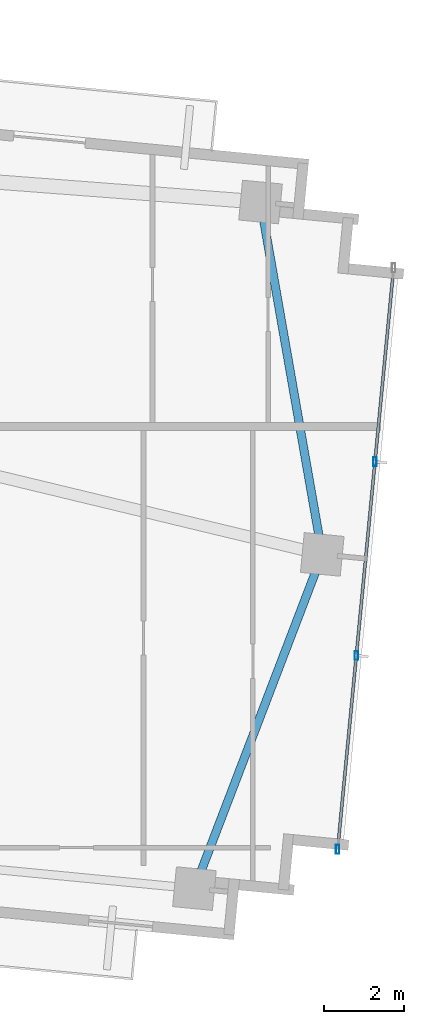
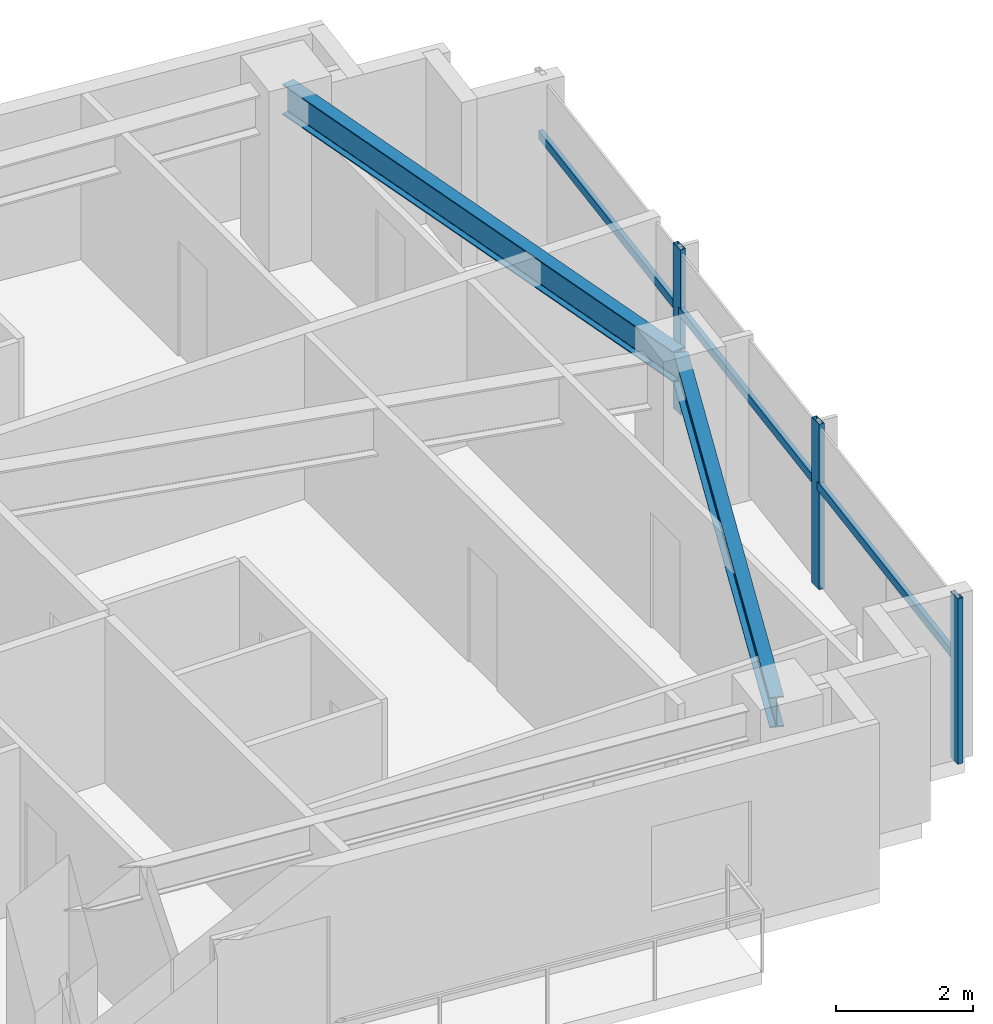
# One storey, part 10 of 19: 6 members, 2 beams, 1 element without a shape of its own.
"""IFC4 building model written with IfcOpenShell, lengths in metres."""

from ifc_helpers import new_model, si_unit, direction, frame, origin, origin_2d, place, context, subcontext, project, spatial, hollow_rectangle, i_section, extrude, source, transform, mapped, material, material_profile, profile_set, type_object, type_shapes, element, aggregate, save


model = new_model("IFC4")

# Units and contexts
model_context = context("Model", 3, precision=1e-05, world=origin(), true_north=direction((0.0, 1.0)))
body_context = subcontext(model_context, "Body", "Model", "MODEL_VIEW")
ifc_project = project(units=[si_unit("LENGTHUNIT", "METRE"), si_unit("AREAUNIT", "SQUARE_METRE"), si_unit("VOLUMEUNIT", "CUBIC_METRE"), si_unit("PLANEANGLEUNIT", "RADIAN"), si_unit("MASSUNIT", "GRAM", prefix="KILO")], contexts=[model_context])

# Site, building, storey
site_placement = place(None, origin())
site = spatial("IfcSite", under=ifc_project, at=site_placement, CompositionType="ELEMENT")
building_placement = place(site_placement, origin())
building = spatial("IfcBuilding", under=site, at=building_placement, Name="Astriad Promenade Condominiums", CompositionType="ELEMENT")
storey_placement = place(building_placement, frame((0.0, 0.0, 147.0)))
storey = spatial("IfcBuildingStorey", under=building, at=storey_placement, Name="L42", CompositionType="ELEMENT", Elevation=147.0)

# Beams
ifc_material_1 = material(Name="Steel ASTM A992 Grade 50", Category="steel")
ifc_material_profile_1 = material_profile(ifc_material_1, i_section(OverallWidth=0.210693359375, OverallDepth=0.53955078125, WebThickness=0.01171875, FlangeThickness=0.018798828125, FilletRadius=0.0166015625, at=origin_2d()), Name="W21X73")
ifc_profile_set_1 = profile_set([ifc_material_profile_1], Name="Steel ASTM A992 Grade 50")
beam_type = type_object("IfcBeamType", Name="STEEL SPANDREL BEAM W21X73", PredefinedType="SPANDREL", material=ifc_profile_set_1)
shared_shape_1 = source(origin(), body_context, "Body", "SweptSolid", [
    extrude(i_section(OverallWidth=0.210693359375, OverallDepth=0.53955078125, WebThickness=0.01171875, FlangeThickness=0.018798828125, FilletRadius=0.0166015625, at=origin_2d()), origin(), (0.0, 0.0, 1.0), 8.8623046875),
])
type_shapes(beam_type, [shared_shape_1])
for number, where, z_axis, x_axis, name in (
    (1, (55.081298828125, 6.033447265625, 2.67041015625), (0.357298632827, 0.933990196405, 0.0), (-0.933990196405, 0.357298632827, 0.0), "Perimeter Spandrel Beam SP-E1-L42"),
    (2, (58.25537109375, 14.3876953125, 2.67041015625), (-0.172532686951, 0.985003792852, 0.0), (-0.985003792852, -0.172532686951, 0.0), "Perimeter Spandrel Beam SP-E2-L42"),
):
    element("IfcBeam", number, at=place(storey_placement, frame(where, z_axis=z_axis, x_axis=x_axis)), inside=storey, type_object=beam_type, Name=name, PredefinedType="SPANDREL", context=body_context, shape_type="MappedRepresentation", body=[
        mapped(shared_shape_1, transform((0.0, 0.0, 0.0), scale=1.0)),
    ])

# Curtain wall, members
ifc_material_2 = material(Name="Anodised aluminium Black Dark Glass Unitised", Category="aluminium")
curtain_wall_type = type_object("IfcCurtainWallType", Name="CW-B34-DARK", PredefinedType="USERDEFINED", material=ifc_material_2)
curtain_wall_placement = place(storey_placement, origin())
curtain_wall = element("IfcCurtainWall", 3, at=curtain_wall_placement, inside=storey, type_object=curtain_wall_type, Name="CW-L42-E", ObjectType="UNITISED_CURTAIN_WALL", PredefinedType="USERDEFINED")
ifc_material_3 = material(Name="Anodised aluminium 6063-T6 Black", Category="aluminium")
ifc_material_profile_2 = material_profile(ifc_material_3, hollow_rectangle(XDim=0.0849609375, YDim=0.219970703125, WallThickness=0.0048828125, at=origin_2d()), Name="ALU-MUL-85X220")
ifc_profile_set_2 = profile_set([ifc_material_profile_2], Name="Anodised aluminium 6063-T6 Black")
member_type_1 = type_object("IfcMemberType", Name="MUL-ALU-MUL-85X220", PredefinedType="MULLION", material=ifc_profile_set_2)
shared_shape_2 = source(origin(), body_context, "Body", "SweptSolid", [
    extrude(hollow_rectangle(XDim=0.0849609375, YDim=0.219970703125, WallThickness=0.0048828125, at=origin_2d()), origin(), (0.0, 0.0, 1.0), 2.93994140625),
])
type_shapes(member_type_1, [shared_shape_2])
member_1_placement = place(storey_placement, frame((59.580322265625, 16.666015625, 0.0), z_axis=(0.0, 0.0, 1.0), x_axis=(1.0, 0.0, 0.0)))
member_1 = element("IfcMember", 4, at=member_1_placement, type_object=member_type_1, Name="CW-L42-E-MUL-01", PredefinedType="MULLION", context=body_context, shape_type="MappedRepresentation", body=[
    mapped(shared_shape_2, transform((0.0, 0.0, 0.0), scale=1.0)),
])
member_2_placement = place(storey_placement, frame((59.114013671875, 11.82177734375, 0.0), z_axis=(0.0, 0.0, 1.0), x_axis=(1.0, 0.0, 0.0)))
member_2 = element("IfcMember", 5, at=member_2_placement, type_object=member_type_1, Name="CW-L42-E-MUL-02", PredefinedType="MULLION", context=body_context, shape_type="MappedRepresentation", body=[
    mapped(shared_shape_2, transform((0.0, 0.0, 0.0), scale=1.0)),
])
member_3_placement = place(storey_placement, frame((58.6474609375, 6.977294921875, 0.0), z_axis=(0.0, 0.0, 1.0), x_axis=(1.0, 0.0, 0.0)))
member_3 = element("IfcMember", 6, at=member_3_placement, type_object=member_type_1, Name="CW-L42-E-MUL-03", PredefinedType="MULLION", context=body_context, shape_type="MappedRepresentation", body=[
    mapped(shared_shape_2, transform((0.0, 0.0, 0.0), scale=1.0)),
])
ifc_material_profile_3 = material_profile(ifc_material_3, hollow_rectangle(XDim=0.074951171875, YDim=0.14990234375, WallThickness=0.004150390625, at=origin_2d()), Name="ALU-TRN-75X150")
ifc_profile_set_3 = profile_set([ifc_material_profile_3], Name="Anodised aluminium 6063-T6 Black")
member_type_2 = type_object("IfcMemberType", Name="TRN-ALU-TRN-75X150", PredefinedType="USERDEFINED", material=ifc_profile_set_3)
shared_shape_3 = source(origin(), body_context, "Body", "SweptSolid", [
    extrude(hollow_rectangle(XDim=0.074951171875, YDim=0.14990234375, WallThickness=0.004150390625, at=origin_2d()), origin(), (0.0, 0.0, 1.0), 4.86669921875),
])
member_4_placement = place(storey_placement, frame((60.046875, 21.51025390625, 1.82275390625), z_axis=(-0.095867260207, -0.995394127178, 0.0), x_axis=(0.995394127178, -0.095867260207, 0.0)))
member_4 = element("IfcMember", 7, at=member_4_placement, type_object=member_type_2, Name="CW-L42-E-TRN-00-0", ObjectType="TRANSOM", PredefinedType="USERDEFINED", context=body_context, shape_type="MappedRepresentation", body=[
    mapped(shared_shape_3, transform((0.0, 0.0, 0.0), scale=1.0)),
])
member_5_placement = place(storey_placement, frame((59.580322265625, 16.666015625, 1.82275390625), z_axis=(-0.095817554883, -0.995398913088, 0.0), x_axis=(0.995398913088, -0.095817554883, 0.0)))
member_5 = element("IfcMember", 8, at=member_5_placement, type_object=member_type_2, Name="CW-L42-E-TRN-01-0", ObjectType="TRANSOM", PredefinedType="USERDEFINED", context=body_context, shape_type="MappedRepresentation", body=[
    mapped(shared_shape_3, transform((0.0, 0.0, 0.0), scale=1.0)),
])
shared_shape_4 = source(origin(), body_context, "Body", "SweptSolid", [
    extrude(hollow_rectangle(XDim=0.074951171875, YDim=0.14990234375, WallThickness=0.004150390625, at=origin_2d()), origin(), (0.0, 0.0, 1.0), 4.866943359375),
])
type_shapes(member_type_2, [shared_shape_3, shared_shape_4])
member_6_placement = place(storey_placement, frame((59.114013671875, 11.82177734375, 1.82275390625), z_axis=(-0.095862473318, -0.995394588196, 0.0), x_axis=(0.995394588196, -0.095862473318, 0.0)))
member_6 = element("IfcMember", 9, at=member_6_placement, type_object=member_type_2, Name="CW-L42-E-TRN-02-0", ObjectType="TRANSOM", PredefinedType="USERDEFINED", context=body_context, shape_type="MappedRepresentation", body=[
    mapped(shared_shape_4, transform((0.0, 0.0, 0.0), scale=1.0)),
])
aggregate(curtain_wall, [member_1, member_2, member_3, member_4, member_5, member_6])

save(model, "model.ifc")
